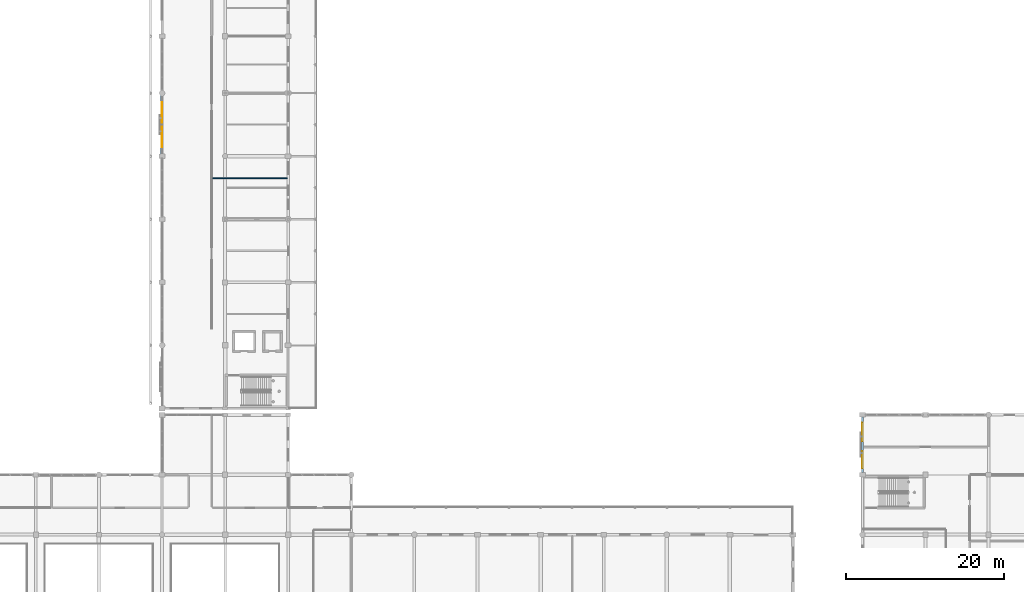
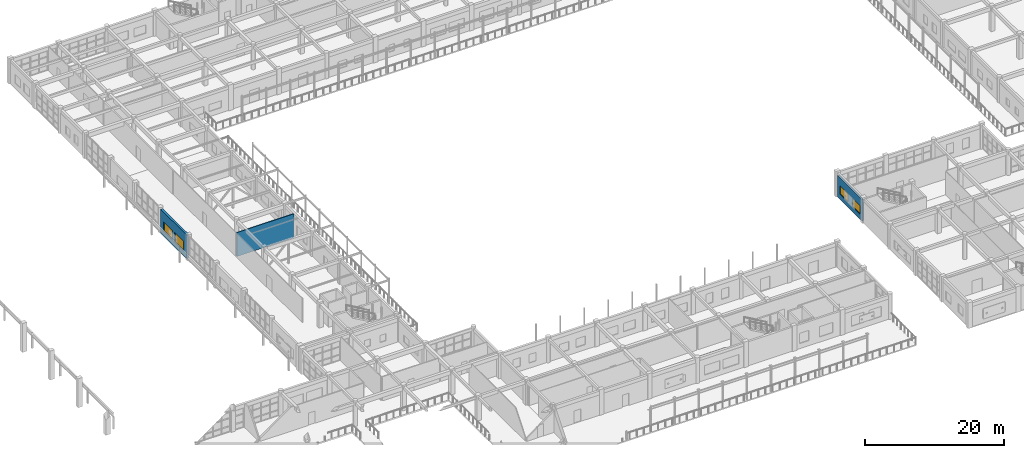
# One storey, part 129 of 160: 4 windows, 3 walls, 4 openings.
"""IFC4 building model written with IfcOpenShell, lengths in metres."""

from ifc_helpers import new_model, si_unit, direction, frame, frame_2d, origin, place, context, subcontext, project, spatial, rectangle, extrude, material, layer, layer_set, type_object, element, fill, save


model = new_model("IFC4")

# Units and contexts
model_context = context("Model", 3, precision=1e-05, world=origin(), true_north=direction((0.0, 1.0)))
body_context = subcontext(model_context, "Body", "Model", "MODEL_VIEW")
ifc_project = project(units=[si_unit("LENGTHUNIT", "METRE"), si_unit("AREAUNIT", "SQUARE_METRE"), si_unit("VOLUMEUNIT", "CUBIC_METRE"), si_unit("PLANEANGLEUNIT", "RADIAN"), si_unit("MASSUNIT", "GRAM", prefix="KILO")], contexts=[model_context])

# Site, building, storey
site_placement = place(None, origin())
site = spatial("IfcSite", under=ifc_project, at=site_placement, CompositionType="ELEMENT")
building_placement = place(site_placement, origin())
building = spatial("IfcBuilding", under=site, at=building_placement, Name="Kharva Crest Polytechnic", CompositionType="ELEMENT")
storey_placement = place(building_placement, frame((0.0, 0.0, 4.5)))
storey = spatial("IfcBuildingStorey", under=building, at=storey_placement, Name="L01", CompositionType="ELEMENT", Elevation=4.5)

# Wall, openings, windows
ifc_material_1 = material(Name="Kiln brick masonry", Category="masonry")
ifc_layer_1 = layer(ifc_material_1, 0.260009765625, Name="Kiln brick masonry")
ifc_layer_set_1 = layer_set([ifc_layer_1], Name="Kiln brick masonry")
wall_type_1 = type_object("IfcWallType", Name="WL-EXT-BRK-260", PredefinedType="SOLIDWALL", material=ifc_layer_set_1)
wall_1_placement = place(storey_placement, frame((120.800048828125, 37.72998046875, 0.0), z_axis=(0.0, 0.0, 1.0), x_axis=(0.0, -1.0, 0.0)))
wall_1 = element("IfcWall", 1, at=wall_1_placement, inside=storey, type_object=wall_type_1, Name="L01 Exterior Brick Wall 155", PredefinedType="SOLIDWALL", context=body_context, shape_type="SweptSolid", body=[
    extrude(rectangle(XDim=7.034912109375, YDim=0.260009765625, at=frame_2d((3.517578125, 0.0))), origin(), (0.0, 0.0, 1.0), 3.780029296875),
])
opening_1_placement = place(wall_1_placement, frame((0.7099609375, 0.0, 0.89990234375)))
opening_1 = element("IfcOpeningElement", 2, at=opening_1_placement, cuts=wall_1, Name="Opening W10", PredefinedType="OPENING", context=body_context, shape_type="SweptSolid", body=[
    extrude(rectangle(XDim=2.39990234375, YDim=1.5, at=frame_2d((1.199951171875, 0.75))), frame((0.0, 0.139892578125, 0.0), z_axis=(0.0, -1.0, 0.0), x_axis=(1.0, 0.0, 0.0)), (0.0, 0.0, 1.0), 0.280029296875),
])
opening_2_placement = place(wall_1_placement, frame((4.326904296875, 0.0, 0.89990234375)))
opening_2 = element("IfcOpeningElement", 3, at=opening_2_placement, cuts=wall_1, Name="Opening W11", PredefinedType="OPENING", context=body_context, shape_type="SweptSolid", body=[
    extrude(rectangle(XDim=2.199951171875, YDim=1.5, at=frame_2d((1.10009765625, 0.75))), frame((0.0, 0.139892578125, 0.0), z_axis=(0.0, -1.0, 0.0), x_axis=(1.0, 0.0, 0.0)), (0.0, 0.0, 1.0), 0.280029296875),
])
ifc_material_2 = material(Name="Anodised aluminium", Category="aluminium")
window_type_1 = type_object("IfcWindowType", Name="WIN-ALU-2200X1500", PartitioningType="SINGLE_PANEL", PredefinedType="WINDOW", material=ifc_material_2)
window_1_placement = place(opening_2_placement, origin())
window_1 = element("IfcWindow", 4, at=window_1_placement, inside=storey, type_object=window_type_1, Name="L01 Exterior Window 201", OverallHeight=1.5, OverallWidth=2.199951171875, PartitioningType="SINGLE_PANEL", PredefinedType="WINDOW", context=body_context, shape_type="SweptSolid", body=[
    extrude(rectangle(XDim=2.199951171875, YDim=1.5, at=frame_2d((1.10009765625, 0.75))), frame((0.0, 0.030029296875, 0.0), z_axis=(0.0, -1.0, 0.0), x_axis=(1.0, 0.0, 0.0)), (0.0, 0.0, 1.0), 0.06005859375),
])
fill(opening_2, window_1)
window_type_2 = type_object("IfcWindowType", Name="WIN-ALU-2400X1500", PartitioningType="SINGLE_PANEL", PredefinedType="WINDOW", material=ifc_material_2)
window_2_placement = place(opening_1_placement, origin())
window_2 = element("IfcWindow", 5, at=window_2_placement, inside=storey, type_object=window_type_2, Name="L01 Exterior Window 200", OverallHeight=1.5, OverallWidth=2.39990234375, PartitioningType="SINGLE_PANEL", PredefinedType="WINDOW", context=body_context, shape_type="SweptSolid", body=[
    extrude(rectangle(XDim=2.39990234375, YDim=1.5, at=frame_2d((1.199951171875, 0.75))), frame((0.0, 0.030029296875, 0.0), z_axis=(0.0, -1.0, 0.0), x_axis=(1.0, 0.0, 0.0)), (0.0, 0.0, 1.0), 0.06005859375),
])
fill(opening_1, window_2)

ifc_layer_2 = layer(ifc_material_1, 0.364990234375, Name="Kiln brick masonry")
ifc_layer_set_2 = layer_set([ifc_layer_2], Name="Kiln brick masonry")
wall_type_2 = type_object("IfcWallType", Name="WL-EXT-BRK-365", PredefinedType="SOLIDWALL", material=ifc_layer_set_2)
wall_2_placement = place(storey_placement, frame((32.0, 78.49755859375, 0.0), z_axis=(0.0, 0.0, 1.0), x_axis=(0.0, -1.0, 0.0)))
wall_2 = element("IfcWall", 6, at=wall_2_placement, inside=storey, type_object=wall_type_2, Name="L01 Exterior Brick Wall 165", PredefinedType="SOLIDWALL", context=body_context, shape_type="SweptSolid", body=[
    extrude(rectangle(XDim=7.427490234375, YDim=0.364990234375, at=frame_2d((3.7138671875, 0.0))), origin(), (0.0, 0.0, 1.0), 4.219970703125),
])
opening_3_placement = place(wall_2_placement, frame((0.84912109375, 0.0, 0.89990234375)))
opening_3 = element("IfcOpeningElement", 7, at=opening_3_placement, cuts=wall_2, Name="Opening W24", PredefinedType="OPENING", context=body_context, shape_type="SweptSolid", body=[
    extrude(rectangle(XDim=2.60009765625, YDim=1.64990234375, at=frame_2d((1.300048828125, 0.824951171875))), frame((0.0, 0.1923828125, 0.0), z_axis=(0.0, -1.0, 0.0), x_axis=(1.0, 0.0, 0.0)), (0.0, 0.0, 1.0), 0.385009765625),
])
opening_4_placement = place(wall_2_placement, frame((3.97802734375, 0.0, 0.89990234375)))
opening_4 = element("IfcOpeningElement", 8, at=opening_4_placement, cuts=wall_2, Name="Opening W24", PredefinedType="OPENING", context=body_context, shape_type="SweptSolid", body=[
    extrude(rectangle(XDim=2.60009765625, YDim=1.64990234375, at=frame_2d((1.300048828125, 0.824951171875))), frame((0.0, 0.1923828125, 0.0), z_axis=(0.0, -1.0, 0.0), x_axis=(1.0, 0.0, 0.0)), (0.0, 0.0, 1.0), 0.385009765625),
])
window_type_3 = type_object("IfcWindowType", Name="WIN-ALU-2600X1650", PartitioningType="SINGLE_PANEL", PredefinedType="WINDOW", material=ifc_material_2)
window_3_placement = place(opening_3_placement, origin())
window_3 = element("IfcWindow", 9, at=window_3_placement, inside=storey, type_object=window_type_3, Name="L01 Exterior Window 214", OverallHeight=1.64990234375, OverallWidth=2.60009765625, PartitioningType="SINGLE_PANEL", PredefinedType="WINDOW", context=body_context, shape_type="SweptSolid", body=[
    extrude(rectangle(XDim=2.60009765625, YDim=1.64990234375, at=frame_2d((1.300048828125, 0.824951171875))), frame((0.0, 0.030029296875, 0.0), z_axis=(0.0, -1.0, 0.0), x_axis=(1.0, 0.0, 0.0)), (0.0, 0.0, 1.0), 0.06005859375),
])
fill(opening_3, window_3)
window_4_placement = place(opening_4_placement, origin())
window_4 = element("IfcWindow", 10, at=window_4_placement, inside=storey, type_object=window_type_3, Name="L01 Exterior Window 215", OverallHeight=1.64990234375, OverallWidth=2.60009765625, PartitioningType="SINGLE_PANEL", PredefinedType="WINDOW", context=body_context, shape_type="SweptSolid", body=[
    extrude(rectangle(XDim=2.60009765625, YDim=1.64990234375, at=frame_2d((1.300048828125, 0.824951171875))), frame((0.0, 0.030029296875, 0.0), z_axis=(0.0, -1.0, 0.0), x_axis=(1.0, 0.0, 0.0)), (0.0, 0.0, 1.0), 0.06005859375),
])
fill(opening_4, window_4)

# Wall
ifc_layer_3 = layer(ifc_material_1, 0.1298828125, Name="Kiln brick masonry")
ifc_layer_set_3 = layer_set([ifc_layer_3], Name="Kiln brick masonry")
wall_type_3 = type_object("IfcWallType", Name="WL-PART-130", PredefinedType="PARTITIONING", material=ifc_layer_set_3)
wall_3_placement = place(storey_placement, frame((38.419921875, 68.0, 0.0), z_axis=(0.0, 0.0, 1.0), x_axis=(1.0, 0.0, 0.0)))
element("IfcWall", 11, at=wall_3_placement, inside=storey, type_object=wall_type_3, Name="L01 Interior Partition 115", PredefinedType="PARTITIONING", context=body_context, shape_type="SweptSolid", body=[
    extrude(rectangle(XDim=9.469970703125, YDim=0.1298828125, at=frame_2d((4.73486328125, 0.0))), origin(), (0.0, 0.0, 1.0), 4.199951171875),
])

save(model, "model.ifc")
